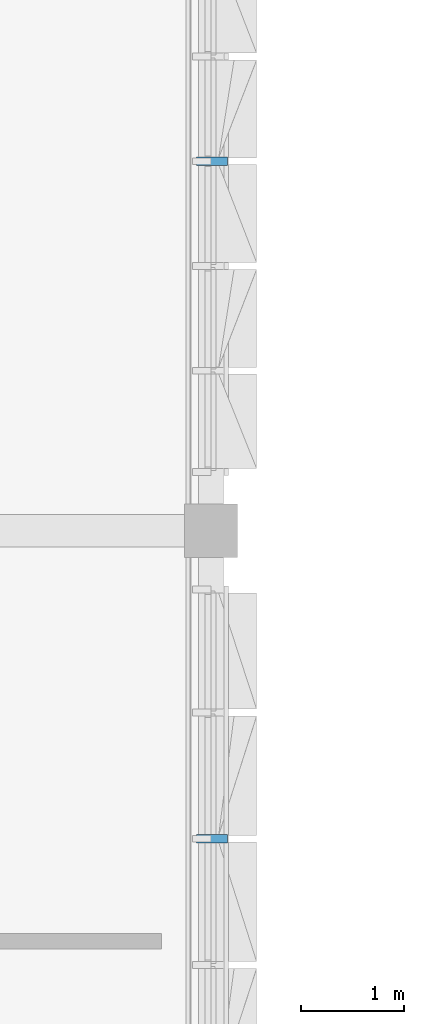
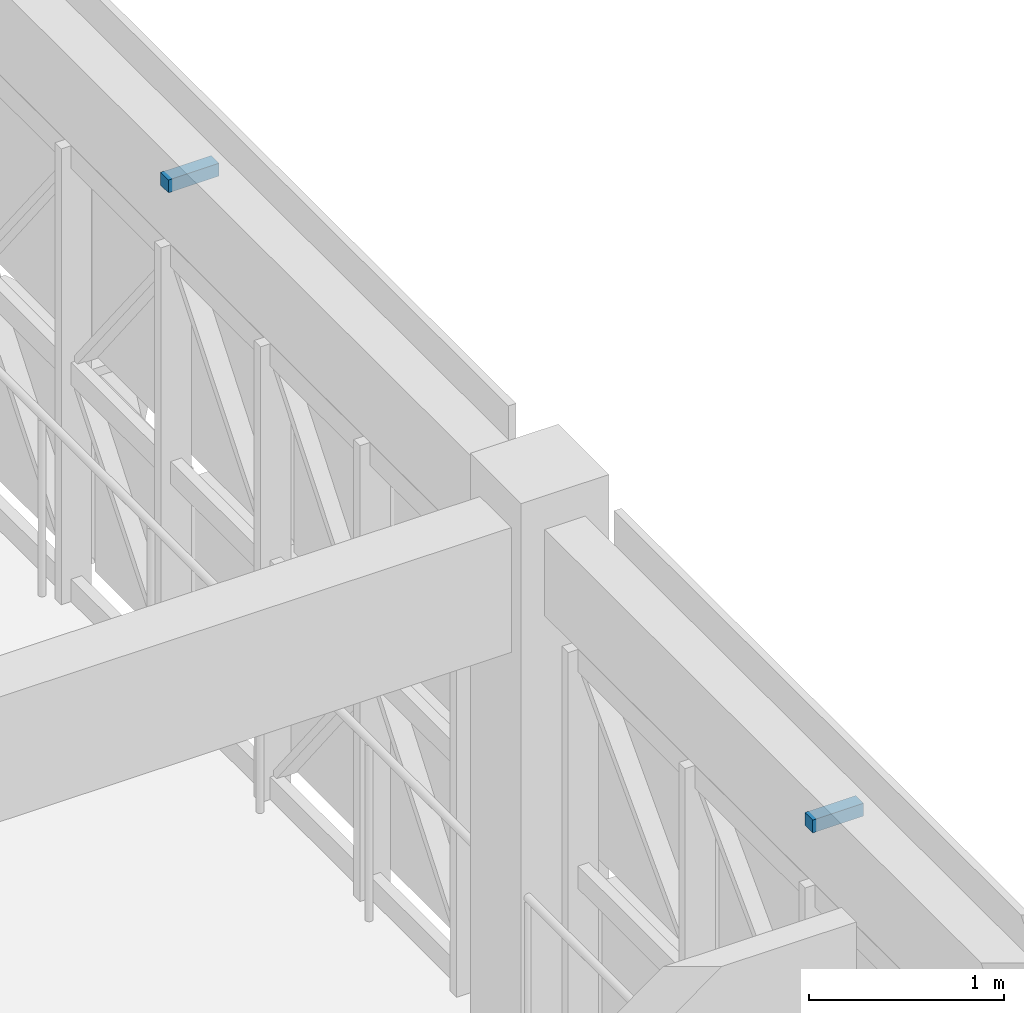
# One storey, part 76 of 99: 2 discrete accessories.
"""IFC4 building model written with IfcOpenShell, lengths in metres."""

import ifcopenshell
import ifcopenshell.guid

model = None  # the IFC model being written
_history = None  # IfcOwnerHistory: only IFC2X3 demands one
_inside = {}  # id of a spatial element -> (the spatial element, [elements in it])
_under = {}  # id of a project, library or spatial element -> (it, [spatial elements below it])
_declared = {}  # id of a project -> (the project, [libraries it declares])
_typed = {}  # id of a type object -> (the type object, [elements of that type])
_made_of = {}  # id of a material, layer set ... -> (it, [elements and type objects made of it])


def new_model(schema):
    """Start an empty IFC model of exactly this schema.

    Asked for "IFC4X3", IfcOpenShell would pick the latest addendum, in which some entities
    have other attributes; the version numbers below select the first issue.
    IFC2X3 requires an IfcOwnerHistory on every rooted entity: one is made here for all.
    """
    global model, _history
    if schema == "IFC4X3":
        model = ifcopenshell.file(schema_version=(4, 3, 0, 0))
    else:
        model = ifcopenshell.file(schema=schema)
    _inside.clear()
    _under.clear()
    _declared.clear()
    _typed.clear()
    _made_of.clear()
    _history = None
    if model.schema == "IFC2X3":
        org = make("IfcOrganization", Name="unknown")
        user = make(
            "IfcPersonAndOrganization",
            ThePerson=make("IfcPerson", FamilyName="unknown"),
            TheOrganization=org,
        )
        app = make(
            "IfcApplication",
            ApplicationDeveloper=org,
            Version="unknown",
            ApplicationFullName="unknown",
            ApplicationIdentifier="unknown",
        )
        _history = make(
            "IfcOwnerHistory",
            OwningUser=user,
            OwningApplication=app,
            ChangeAction="ADDED",
            CreationDate=0,
        )
    return model


def make(cls, **values):
    """One entity of the class cls with the attributes given. An attribute that is None is left unset."""
    return model.create_entity(
        cls, **{name: value for name, value in values.items() if value is not None}
    )


def rooted(cls, **values):
    """An entity with a GlobalId (a new one), such as an element, a storey or a relation."""
    return make(cls, GlobalId=ifcopenshell.guid.new(), OwnerHistory=_history, **values)


def si_unit(unit_type, name, prefix=None):
    """IfcSIUnit, for example si_unit("LENGTHUNIT", "METRE", prefix="MILLI")."""
    return make("IfcSIUnit", UnitType=unit_type, Prefix=prefix, Name=name)


def assignment(units):
    """IfcUnitAssignment: the units of a project."""
    return None if units is None else make("IfcUnitAssignment", Units=units)


def point(xyz):
    """IfcCartesianPoint."""
    return None if xyz is None else make("IfcCartesianPoint", Coordinates=xyz)


def direction(xyz):
    """IfcDirection."""
    return None if xyz is None else make("IfcDirection", DirectionRatios=xyz)


def frame(location, z_axis=None, x_axis=None):
    """IfcAxis2Placement3D, a coordinate frame: its origin and axes. An axis left out is left unset."""
    return make(
        "IfcAxis2Placement3D",
        Location=point(location),
        Axis=direction(z_axis),
        RefDirection=direction(x_axis),
    )


def frame_2d(location, x_axis=None):
    """IfcAxis2Placement2D, a coordinate frame in the plane: its origin and x axis."""
    return make(
        "IfcAxis2Placement2D", Location=point(location), RefDirection=direction(x_axis)
    )


def origin():
    """The frame at (0, 0, 0) with its axes left unset."""
    return frame((0.0, 0.0, 0.0))


def origin_2d():
    """The frame at (0, 0) in the plane with its x axis left unset."""
    return frame_2d((0.0, 0.0))


def place(relative_to, where):
    """IfcLocalPlacement: puts the frame where relative to a parent placement (None: the world)."""
    return make(
        "IfcLocalPlacement", PlacementRelTo=relative_to, RelativePlacement=where
    )


def context(
    kind, dimensions, precision=None, world=None, true_north=None, identifier=None
):
    """IfcGeometricRepresentationContext, for example the 3D "Model" context."""
    return make(
        "IfcGeometricRepresentationContext",
        ContextIdentifier=identifier,
        ContextType=kind,
        CoordinateSpaceDimension=dimensions,
        Precision=precision,
        WorldCoordinateSystem=world,
        TrueNorth=true_north,
    )


def subcontext(parent, identifier, kind, view, scale=None):
    """IfcGeometricRepresentationSubContext, for example "Body" below "Model"."""
    return make(
        "IfcGeometricRepresentationSubContext",
        ContextIdentifier=identifier,
        ContextType=kind,
        ParentContext=parent,
        TargetScale=scale,
        TargetView=view,
    )


def project(units=None, contexts=None):
    """IfcProject with its units and contexts."""
    return rooted(
        "IfcProject",
        Name="project",
        RepresentationContexts=contexts,
        UnitsInContext=assignment(units),
    )


def spatial(cls, under=None, at=None, **own):
    """A site, building, storey or space (cls), placed at a placement, below another one or the project."""
    s = rooted(cls, ObjectPlacement=at, **own)
    if under is not None:
        _under.setdefault(under.id(), (under, []))[1].append(s)
    return s


def profile(cls, at=None, kind="AREA", **sizes):
    """A parametric profile (cls). Its sizes go by their IFC names, for example OverallWidth=200.0."""
    return make(cls, ProfileType=kind, Position=at, **sizes)


def rectangle(**sizes):
    """IfcRectangleProfileDef."""
    return profile("IfcRectangleProfileDef", **sizes)


def extrude(swept, where, along, depth):
    """IfcExtrudedAreaSolid: the profile swept, set in the frame where, extruded along a direction by depth."""
    return make(
        "IfcExtrudedAreaSolid",
        SweptArea=swept,
        Position=where,
        ExtrudedDirection=direction(along),
        Depth=depth,
    )


def shape(context_of_items, identifier, shape_type, items):
    """IfcShapeRepresentation: the items that make up one representation, for example the "Body"."""
    return make(
        "IfcShapeRepresentation",
        ContextOfItems=context_of_items,
        RepresentationIdentifier=identifier,
        RepresentationType=shape_type,
        Items=items,
    )


def material(Name=None, Category=None):
    """IfcMaterial."""
    return make("IfcMaterial", Name=Name, Category=Category)


def made_of(thing, what):
    """Note that an element or type object is made of a material, layer set ...; save() writes the relation."""
    if what is not None:
        _made_of.setdefault(what.id(), (what, []))[1].append(thing)
    return thing


def type_object(cls, material=None, **own):
    """A type object (cls), such as IfcWallType, which elements share."""
    return made_of(rooted(cls, **own), material)


def element(
    cls,
    number,
    at=None,
    inside=None,
    cuts=None,
    type_object=None,
    material=None,
    context=None,
    identifier="Body",
    shape_type=None,
    held_by="IfcProductDefinitionShape",
    body=None,
    shapes=None,
    **own,
):
    """One element of the class cls, such as IfcWall. Its Tag is "e" and its number.

    at: its placement. inside: the storey or other place that contains it. cuts: it is an
    opening in that element (IfcRelVoidsElement). A single representation is given by context,
    identifier, shape_type and body (its items); several are given by shapes. held_by: the class
    of the entity that holds the representations. save() writes the other relations.
    """
    e = rooted(cls, Tag="e%d" % number, ObjectPlacement=at, **own)
    if body is not None:
        shapes = [shape(context, identifier, shape_type, body)]
    if shapes is not None:
        e.Representation = make(held_by, Representations=shapes)
    if inside is not None:
        _inside.setdefault(inside.id(), (inside, []))[1].append(e)
    if cuts is not None:
        rooted(
            "IfcRelVoidsElement", RelatingBuildingElement=cuts, RelatedOpeningElement=e
        )
    if type_object is not None:
        _typed.setdefault(type_object.id(), (type_object, []))[1].append(e)
    return made_of(e, material)


def aggregate(whole, parts):
    """IfcRelAggregates: a whole, such as a stair, and the parts it consists of."""
    return rooted("IfcRelAggregates", RelatingObject=whole, RelatedObjects=parts)


def save(model, path):
    """Write the relations noted so far, then the file.

    IfcRelAggregates (storeys below a building ...), IfcRelContainedInSpatialStructure (elements
    in a storey), IfcRelDefinesByType, IfcRelAssociatesMaterial and IfcRelDeclares: one each for
    every whole, place, type object, material and project.
    """
    for whole, parts in _under.values():
        aggregate(whole, parts)
    for where, things in _inside.values():
        rooted(
            "IfcRelContainedInSpatialStructure",
            RelatedElements=things,
            RelatingStructure=where,
        )
    for kind, things in _typed.values():
        rooted("IfcRelDefinesByType", RelatedObjects=things, RelatingType=kind)
    for what, things in _made_of.values():
        rooted("IfcRelAssociatesMaterial", RelatedObjects=things, RelatingMaterial=what)
    for by, libraries in _declared.values():
        rooted("IfcRelDeclares", RelatingContext=by, RelatedDefinitions=libraries)
    model.write(path)


model = new_model("IFC4")

# Units and contexts
model_context = context("Model", 3, precision=1e-05, world=origin(), true_north=direction((0.0, 1.0)))
body_context = subcontext(model_context, "Body", "Model", "MODEL_VIEW")
ifc_project = project(units=[si_unit("LENGTHUNIT", "METRE"), si_unit("AREAUNIT", "SQUARE_METRE"), si_unit("VOLUMEUNIT", "CUBIC_METRE"), si_unit("PLANEANGLEUNIT", "RADIAN"), si_unit("MASSUNIT", "GRAM", prefix="KILO")], contexts=[model_context])

# Site, building, storey
site_placement = place(None, origin())
site = spatial("IfcSite", under=ifc_project, at=site_placement, CompositionType="ELEMENT")
building_placement = place(site_placement, origin())
building = spatial("IfcBuilding", under=site, at=building_placement, Name="Alvorim Cloister Faculty of Sciences", CompositionType="ELEMENT")
storey_placement = place(building_placement, frame((0.0, 0.0, 12.14990234375)))
storey = spatial("IfcBuildingStorey", under=building, at=storey_placement, Name="L03", CompositionType="ELEMENT", Elevation=12.14990234375)

# Discrete accessories
ifc_material = material(Name="Aluminium Alloy 6063-T6", Category="aluminium")
discrete_accessory_type = type_object("IfcDiscreteAccessoryType", Name="ACC-DIAG-BAR", PredefinedType="BRACKET", material=ifc_material)
for number, where, z_axis, x_axis, name in (
    (1, (64.659912109375, 52.800048828125, 3.22509765625), (1.0, 0.0, 0.0), (0.0, 1.0, 0.0), "Slab-Edge Fascia Tie Bracket ACC-01408"),
    (2, (64.659912109375, 46.199951171875, 3.22509765625), (1.0, 0.0, 0.0), (0.0, 1.0, 0.0), "Slab-Edge Fascia Tie Bracket ACC-01417"),
):
    element("IfcDiscreteAccessory", number, at=place(storey_placement, frame(where, z_axis=z_axis, x_axis=x_axis)), inside=storey, type_object=discrete_accessory_type, Name=name, PredefinedType="BRACKET", context=body_context, shape_type="SweptSolid", body=[
        extrude(rectangle(XDim=0.080078125, YDim=0.080078125, at=origin_2d()), origin(), (0.0, 0.0, 1.0), 0.300048828125),
    ])

save(model, "model.ifc")
